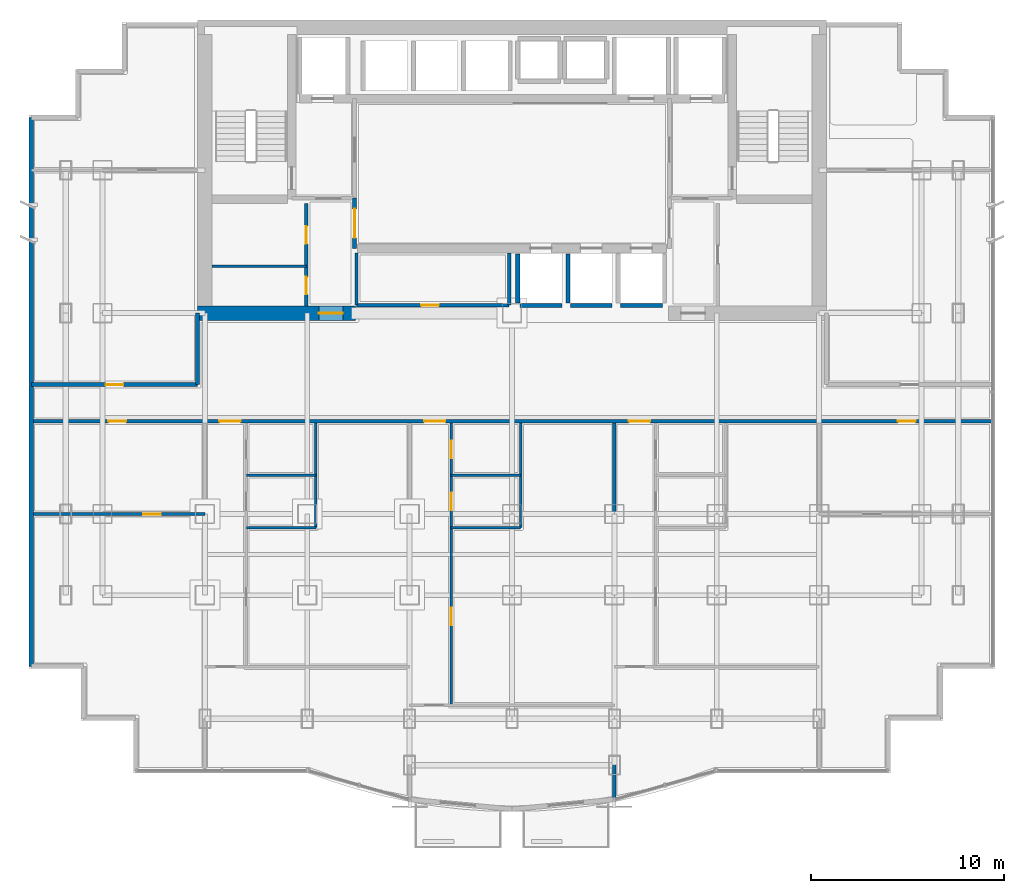
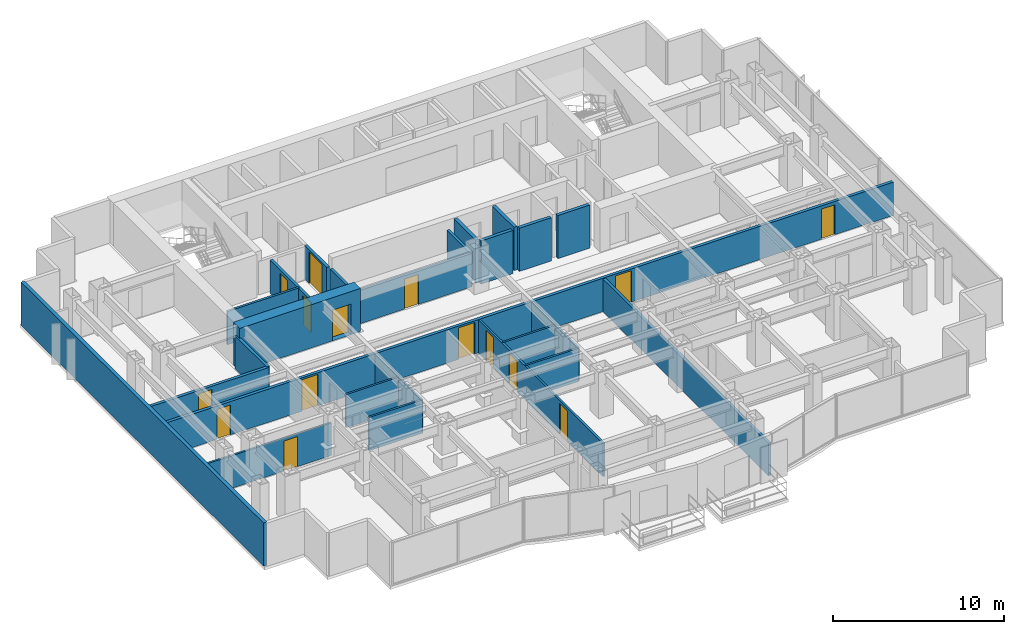
# One storey, part 7 of 11: 25 walls, 15 doors, 15 openings.
"""IFC4 building model written with IfcOpenShell, lengths in metres."""

from ifc_helpers import new_model, si_unit, direction, frame, frame_2d, origin, place, context, subcontext, project, spatial, rectangle, extrude, material, layer, layer_set, type_object, element, fill, save


model = new_model("IFC4")

# Units and contexts
model_context = context("Model", 3, precision=1e-05, world=origin(), true_north=direction((0.0, 1.0)))
body_context = subcontext(model_context, "Body", "Model", "MODEL_VIEW")
ifc_project = project(units=[si_unit("LENGTHUNIT", "METRE"), si_unit("AREAUNIT", "SQUARE_METRE"), si_unit("VOLUMEUNIT", "CUBIC_METRE"), si_unit("PLANEANGLEUNIT", "RADIAN"), si_unit("MASSUNIT", "GRAM", prefix="KILO")], contexts=[model_context])

# Site, building, storey
site_placement = place(None, origin())
site = spatial("IfcSite", under=ifc_project, at=site_placement, CompositionType="ELEMENT")
building_placement = place(site_placement, origin())
building = spatial("IfcBuilding", under=site, at=building_placement, Name="Qianlan Lanfeng Residences", CompositionType="ELEMENT")
storey_placement = place(building_placement, frame((0.0, 0.0, 104.800048828125)))
storey = spatial("IfcBuildingStorey", under=building, at=storey_placement, Name="L28", CompositionType="ELEMENT", Elevation=104.800048828125)

# Wall, opening, door
ifc_material_1 = material(Name="Concrete C60", Category="concrete")
ifc_layer_1 = layer(ifc_material_1, 0.75)
ifc_layer_set_1 = layer_set([ifc_layer_1], Name="Concrete C60")
wall_type_1 = type_object("IfcWallType", Name="CW-RC-750", PredefinedType="SHEAR", material=ifc_layer_set_1)
wall_1_placement = place(storey_placement, frame((10.22509765625, 25.199951171875, 0.0), z_axis=(0.0, 0.0, 1.0), x_axis=(1.0, 0.0, 0.0)))
wall_1 = element("IfcWall", 1, at=wall_1_placement, inside=storey, type_object=wall_type_1, Name="L28 Core Shear Wall SW", PredefinedType="SHEAR", context=body_context, shape_type="SweptSolid", body=[
    extrude(rectangle(XDim=8.1748046875, YDim=0.75, at=frame_2d((4.08740234375, 0.0))), origin(), (0.0, 0.0, 1.0), 3.08984375),
])
opening_1_placement = place(wall_1_placement, frame((6.27490234375, 0.0, 0.0)))
opening_1 = element("IfcOpeningElement", 2, at=opening_1_placement, cuts=wall_1, Name="Opening L28-D01", PredefinedType="OPENING", context=body_context, shape_type="SweptSolid", body=[
    extrude(rectangle(XDim=1.25, YDim=2.199951171875, at=frame_2d((0.625, 1.10009765625))), frame((0.0, 0.385009765625, 0.0), z_axis=(0.0, -1.0, 0.0), x_axis=(1.0, 0.0, 0.0)), (0.0, 0.0, 1.0), 0.77001953125),
])
ifc_material_2 = material(Name="Painted Galvanised Steel Fire Door", Category="steel")
door_type_1 = type_object("IfcDoorType", Name="DT-FFL", OperationType="NOTDEFINED", PredefinedType="DOOR", material=ifc_material_2)
door_1_placement = place(opening_1_placement, frame((1.25, 0.0, 0.0), z_axis=(0.0, 0.0, 1.0), x_axis=(-1.0, 0.0, 0.0)))
door_1 = element("IfcDoor", 3, at=door_1_placement, inside=storey, type_object=door_type_1, Name="L28 West Core Lobby Smoke Door L28-D01 (DT-FFL)", OperationType="SINGLE_SWING_RIGHT", OverallHeight=2.199951171875, OverallWidth=1.25, PredefinedType="DOOR", context=body_context, shape_type="SweptSolid", body=[
    extrude(rectangle(XDim=1.25, YDim=2.199951171875, at=frame_2d((0.625, 1.10009765625))), frame((0.0, 0.02490234375, 0.0), z_axis=(0.0, -1.0, 0.0), x_axis=(1.0, 0.0, 0.0)), (0.0, 0.0, 1.0), 0.050048828125),
])
fill(opening_1, door_1)

# Walls
ifc_material_3 = material(Name="Concrete C42", Category="concrete")
ifc_layer_2 = layer(ifc_material_3, 0.239990234375)
ifc_layer_set_2 = layer_set([ifc_layer_2], Name="Concrete C42")
wall_type_2 = type_object("IfcWallType", Name="EW-240", PredefinedType="SOLIDWALL", material=ifc_layer_set_2)
wall_2_placement = place(storey_placement, frame((1.6201171875, 35.330078125, 0.0), z_axis=(0.0, 0.0, 1.0), x_axis=(0.0, -1.0, 0.0)))
element("IfcWall", 4, at=wall_2_placement, inside=storey, type_object=wall_type_2, Name="L28 Exterior Facade Spandrel Wall 21", PredefinedType="SOLIDWALL", context=body_context, shape_type="SweptSolid", body=[
    extrude(rectangle(XDim=28.41015625, YDim=0.239990234375, at=frame_2d((14.205078125, 0.0))), origin(), (0.0, 0.0, 1.0), 3.08984375),
])
ifc_material_4 = material(Name="Moisture-Resistant Gypsum Partition 135 mm")
ifc_layer_3 = layer(ifc_material_4, 0.135009765625)
ifc_layer_set_3 = layer_set([ifc_layer_3], Name="Moisture-Resistant Gypsum Partition 135 mm")
wall_type_3 = type_object("IfcWallType", Name="PW-135", PredefinedType="PARTITIONING", material=ifc_layer_set_3)
wall_3_placement = place(storey_placement, frame((12.75, 14.10009765625, 0.0), z_axis=(0.0, 0.0, 1.0), x_axis=(1.0, 0.0, 0.0)))
element("IfcWall", 5, at=wall_3_placement, inside=storey, type_object=wall_type_3, Name="L28 U01 Kitchen South Wall", PredefinedType="PARTITIONING", context=body_context, shape_type="SweptSolid", body=[
    extrude(rectangle(XDim=3.60009765625, YDim=0.135009765625, at=frame_2d((1.800048828125, 0.0))), origin(), (0.0, 0.0, 1.0), 2.3798828125),
])
wall_4_placement = place(storey_placement, frame((16.35009765625, 14.10009765625, 0.0), z_axis=(0.0, 0.0, 1.0), x_axis=(0.0, 1.0, 0.0)))
element("IfcWall", 6, at=wall_4_placement, inside=storey, type_object=wall_type_3, Name="L28 U01 Dining East Wall", PredefinedType="PARTITIONING", context=body_context, shape_type="SweptSolid", body=[
    extrude(rectangle(XDim=5.39990234375, YDim=0.135009765625, at=frame_2d((2.699951171875, 0.0))), origin(), (0.0, 0.0, 1.0), 2.3798828125),
])
wall_5_placement = place(storey_placement, frame((12.75, 16.800048828125, 0.0), z_axis=(0.0, 0.0, 1.0), x_axis=(1.0, 0.0, 0.0)))
element("IfcWall", 7, at=wall_5_placement, inside=storey, type_object=wall_type_3, Name="L28 U01 Bathroom South Wall", PredefinedType="PARTITIONING", context=body_context, shape_type="SweptSolid", body=[
    extrude(rectangle(XDim=3.60009765625, YDim=0.135009765625, at=frame_2d((1.800048828125, 0.0))), origin(), (0.0, 0.0, 1.0), 2.3798828125),
])

# Wall, openings, doors
wall_6_placement = place(storey_placement, frame((23.35009765625, 4.903076171875, 0.0), z_axis=(0.0, 0.0, 1.0), x_axis=(0.0, 1.0, 0.0)))
wall_6 = element("IfcWall", 8, at=wall_6_placement, inside=storey, type_object=wall_type_3, Name="L28 U02 Entry Hall Spine", PredefinedType="PARTITIONING", context=body_context, shape_type="SweptSolid", body=[
    extrude(rectangle(XDim=14.596923828125, YDim=0.135009765625, at=frame_2d((7.29833984375, 0.0))), origin(), (0.0, 0.0, 1.0), 2.3798828125),
])
opening_2_placement = place(wall_6_placement, frame((4.137939453125, 0.0, 0.0)))
opening_2 = element("IfcOpeningElement", 9, at=opening_2_placement, cuts=wall_6, Name="Opening L28-D22", PredefinedType="OPENING", context=body_context, shape_type="SweptSolid", body=[
    extrude(rectangle(XDim=0.919921875, YDim=2.14990234375, at=frame_2d((0.4599609375, 1.074951171875))), frame((0.0, 0.07763671875, 0.0), z_axis=(0.0, -1.0, 0.0), x_axis=(1.0, 0.0, 0.0)), (0.0, 0.0, 1.0), 0.155029296875),
])
opening_3_placement = place(wall_6_placement, frame((10.0869140625, 0.0, 0.0)))
opening_3 = element("IfcOpeningElement", 10, at=opening_3_placement, cuts=wall_6, Name="Opening L28-D23", PredefinedType="OPENING", context=body_context, shape_type="SweptSolid", body=[
    extrude(rectangle(XDim=0.919921875, YDim=2.14990234375, at=frame_2d((0.4599609375, 1.074951171875))), frame((0.0, 0.07763671875, 0.0), z_axis=(0.0, -1.0, 0.0), x_axis=(1.0, 0.0, 0.0)), (0.0, 0.0, 1.0), 0.155029296875),
])
opening_4_placement = place(wall_6_placement, frame((12.797119140625, 0.0, 0.0)))
opening_4 = element("IfcOpeningElement", 11, at=opening_4_placement, cuts=wall_6, Name="Opening L28-D24", PredefinedType="OPENING", context=body_context, shape_type="SweptSolid", body=[
    extrude(rectangle(XDim=0.89990234375, YDim=2.14990234375, at=frame_2d((0.449951171875, 1.074951171875))), frame((0.0, 0.07763671875, 0.0), z_axis=(0.0, -1.0, 0.0), x_axis=(1.0, 0.0, 0.0)), (0.0, 0.0, 1.0), 0.155029296875),
])
ifc_material_5 = material(Name="Glazed Timber Kitchen/Study Door", Category="wood")
door_type_2 = type_object("IfcDoorType", Name="DT-INT", OperationType="NOTDEFINED", PredefinedType="DOOR", material=ifc_material_5)
door_2_placement = place(opening_2_placement, origin())
door_2 = element("IfcDoor", 12, at=door_2_placement, inside=storey, type_object=door_type_2, Name="L28 U02 Study Door L28-D22 (DT-INT)", OperationType="SINGLE_SWING_RIGHT", OverallHeight=2.14990234375, OverallWidth=0.919921875, PredefinedType="DOOR", context=body_context, shape_type="SweptSolid", body=[
    extrude(rectangle(XDim=0.919921875, YDim=2.14990234375, at=frame_2d((0.4599609375, 1.074951171875))), frame((0.0, 0.02490234375, 0.0), z_axis=(0.0, -1.0, 0.0), x_axis=(1.0, 0.0, 0.0)), (0.0, 0.0, 1.0), 0.050048828125),
])
fill(opening_2, door_2)
door_3_placement = place(opening_3_placement, origin())
door_3 = element("IfcDoor", 13, at=door_3_placement, inside=storey, type_object=door_type_2, Name="L28 U02 Kitchen Door L28-D23 (DT-INT)", OperationType="SINGLE_SWING_LEFT", OverallHeight=2.14990234375, OverallWidth=0.919921875, PredefinedType="DOOR", context=body_context, shape_type="SweptSolid", body=[
    extrude(rectangle(XDim=0.919921875, YDim=2.14990234375, at=frame_2d((0.4599609375, 1.074951171875))), frame((0.0, 0.02490234375, 0.0), z_axis=(0.0, -1.0, 0.0), x_axis=(1.0, 0.0, 0.0)), (0.0, 0.0, 1.0), 0.050048828125),
])
fill(opening_3, door_3)
ifc_material_6 = material(Name="Moisture-Resistant Timber Leaf", Category="wood")
door_type_3 = type_object("IfcDoorType", Name="DT-WC", OperationType="NOTDEFINED", PredefinedType="DOOR", material=ifc_material_6)
door_4_placement = place(opening_4_placement, origin())
door_4 = element("IfcDoor", 14, at=door_4_placement, inside=storey, type_object=door_type_3, Name="L28 U02 Bathroom Door L28-D24 (DT-WC)", OperationType="SINGLE_SWING_RIGHT", OverallHeight=2.14990234375, OverallWidth=0.89990234375, PredefinedType="DOOR", context=body_context, shape_type="SweptSolid", body=[
    extrude(rectangle(XDim=0.89990234375, YDim=2.14990234375, at=frame_2d((0.449951171875, 1.074951171875))), frame((0.0, 0.02490234375, 0.0), z_axis=(0.0, -1.0, 0.0), x_axis=(1.0, 0.0, 0.0)), (0.0, 0.0, 1.0), 0.050048828125),
])
fill(opening_4, door_4)

# Walls
wall_7_placement = place(storey_placement, frame((23.35009765625, 14.10009765625, 0.0), z_axis=(0.0, 0.0, 1.0), x_axis=(1.0, 0.0, 0.0)))
element("IfcWall", 15, at=wall_7_placement, inside=storey, type_object=wall_type_3, Name="L28 U02 Kitchen South Wall", PredefinedType="PARTITIONING", context=body_context, shape_type="SweptSolid", body=[
    extrude(rectangle(XDim=3.599853515625, YDim=0.135009765625, at=frame_2d((1.7998046875, 0.0))), origin(), (0.0, 0.0, 1.0), 2.3798828125),
])
wall_8_placement = place(storey_placement, frame((26.949951171875, 14.10009765625, 0.0), z_axis=(0.0, 0.0, 1.0), x_axis=(0.0, 1.0, 0.0)))
element("IfcWall", 16, at=wall_8_placement, inside=storey, type_object=wall_type_3, Name="L28 U02 Dining East Wall", PredefinedType="PARTITIONING", context=body_context, shape_type="SweptSolid", body=[
    extrude(rectangle(XDim=5.39990234375, YDim=0.135009765625, at=frame_2d((2.699951171875, 0.0))), origin(), (0.0, 0.0, 1.0), 2.3798828125),
])
wall_9_placement = place(storey_placement, frame((23.35009765625, 16.800048828125, 0.0), z_axis=(0.0, 0.0, 1.0), x_axis=(1.0, 0.0, 0.0)))
element("IfcWall", 17, at=wall_9_placement, inside=storey, type_object=wall_type_3, Name="L28 U02 Bathroom South Wall", PredefinedType="PARTITIONING", context=body_context, shape_type="SweptSolid", body=[
    extrude(rectangle(XDim=3.599853515625, YDim=0.135009765625, at=frame_2d((1.7998046875, 0.0))), origin(), (0.0, 0.0, 1.0), 2.3798828125),
])

# Wall, opening, door
wall_10_placement = place(storey_placement, frame((1.719970703125, 14.800048828125, 0.0), z_axis=(0.0, 0.0, 1.0), x_axis=(1.0, 0.0, 0.0)))
wall_10 = element("IfcWall", 18, at=wall_10_placement, inside=storey, type_object=wall_type_3, Name="L28 SWP Mid Partition", PredefinedType="PARTITIONING", context=body_context, shape_type="SweptSolid", body=[
    extrude(rectangle(XDim=8.880126953125, YDim=0.135009765625, at=frame_2d((4.43994140625, 0.0))), origin(), (0.0, 0.0, 1.0), 2.3349609375),
])
opening_5_placement = place(wall_10_placement, frame((5.679931640625, 0.0, 0.0)))
opening_5 = element("IfcOpeningElement", 19, at=opening_5_placement, cuts=wall_10, Name="Opening L28-D30", PredefinedType="OPENING", context=body_context, shape_type="SweptSolid", body=[
    extrude(rectangle(XDim=0.919921875, YDim=2.14990234375, at=frame_2d((0.4599609375, 1.074951171875))), frame((0.0, 0.07763671875, 0.0), z_axis=(0.0, -1.0, 0.0), x_axis=(1.0, 0.0, 0.0)), (0.0, 0.0, 1.0), 0.155029296875),
])
door_5_placement = place(opening_5_placement, origin())
door_5 = element("IfcDoor", 20, at=door_5_placement, inside=storey, type_object=door_type_2, Name="L28 SWP Inner Door L28-D30 (DT-INT)", OperationType="SINGLE_SWING_RIGHT", OverallHeight=2.14990234375, OverallWidth=0.919921875, PredefinedType="DOOR", context=body_context, shape_type="SweptSolid", body=[
    extrude(rectangle(XDim=0.919921875, YDim=2.14990234375, at=frame_2d((0.4599609375, 1.074951171875))), frame((0.0, 0.02490234375, 0.0), z_axis=(0.0, -1.0, 0.0), x_axis=(1.0, 0.0, 0.0)), (0.0, 0.0, 1.0), 0.050048828125),
])
fill(opening_5, door_5)

# Wall
ifc_material_7 = material(Name="Acoustic Drywall Partition 150 mm")
ifc_layer_4 = layer(ifc_material_7, 0.14990234375)
ifc_layer_set_4 = layer_set([ifc_layer_4], Name="Acoustic Drywall Partition 150 mm")
wall_type_4 = type_object("IfcWallType", Name="PW-150", PredefinedType="PARTITIONING", material=ifc_layer_set_4)
wall_11_placement = place(storey_placement, frame((10.97509765625, 27.625, 0.0), z_axis=(0.0, 0.0, 1.0), x_axis=(1.0, 0.0, 0.0)))
element("IfcWall", 21, at=wall_11_placement, inside=storey, type_object=wall_type_4, Name="L28 Core West Split", PredefinedType="PARTITIONING", context=body_context, shape_type="SweptSolid", body=[
    extrude(rectangle(XDim=4.875, YDim=0.14990234375, at=frame_2d((2.4375, 0.0))), origin(), (0.0, 0.0, 1.0), 2.3798828125),
])

# Wall, openings, doors
ifc_material_8 = material(Name="Double-Layer Acoustic Gypsum Stud Wall 180 mm")
ifc_layer_5 = layer(ifc_material_8, 0.179931640625)
ifc_layer_set_5 = layer_set([ifc_layer_5], Name="Double-Layer Acoustic Gypsum Stud Wall 180 mm")
wall_type_5 = type_object("IfcWallType", Name="PW-180", PredefinedType="PARTITIONING", material=ifc_layer_set_5)
wall_12_placement = place(storey_placement, frame((15.85009765625, 25.574951171875, 0.0), z_axis=(0.0, 0.0, 1.0), x_axis=(0.0, 1.0, 0.0)))
wall_12 = element("IfcWall", 22, at=wall_12_placement, inside=storey, type_object=wall_type_5, Name="L28 Core West Service Room Wall", PredefinedType="PARTITIONING", context=body_context, shape_type="SweptSolid", body=[
    extrude(rectangle(XDim=5.300048828125, YDim=0.179931640625, at=frame_2d((2.64990234375, 0.0))), origin(), (0.0, 0.0, 1.0), 2.3798828125),
])
opening_6_placement = place(wall_12_placement, frame((0.60009765625, 0.0, 0.0)))
opening_6 = element("IfcOpeningElement", 23, at=opening_6_placement, cuts=wall_12, Name="Opening L28-D09", PredefinedType="OPENING", context=body_context, shape_type="SweptSolid", body=[
    extrude(rectangle(XDim=0.89990234375, YDim=2.14990234375, at=frame_2d((0.449951171875, 1.074951171875))), frame((0.0, 0.10009765625, 0.0), z_axis=(0.0, -1.0, 0.0), x_axis=(1.0, 0.0, 0.0)), (0.0, 0.0, 1.0), 0.199951171875),
])
opening_7_placement = place(wall_12_placement, frame((3.215087890625, 0.0, 0.0)))
opening_7 = element("IfcOpeningElement", 24, at=opening_7_placement, cuts=wall_12, Name="Opening L28-D10", PredefinedType="OPENING", context=body_context, shape_type="SweptSolid", body=[
    extrude(rectangle(XDim=0.919921875, YDim=2.14990234375, at=frame_2d((0.4599609375, 1.074951171875))), frame((0.0, 0.10009765625, 0.0), z_axis=(0.0, -1.0, 0.0), x_axis=(1.0, 0.0, 0.0)), (0.0, 0.0, 1.0), 0.199951171875),
])
door_6_placement = place(opening_7_placement, origin())
door_6 = element("IfcDoor", 25, at=door_6_placement, inside=storey, type_object=door_type_2, Name="L28 Janitor Closet Door L28-D10 (DT-INT)", OperationType="SINGLE_SWING_RIGHT", OverallHeight=2.14990234375, OverallWidth=0.919921875, PredefinedType="DOOR", context=body_context, shape_type="SweptSolid", body=[
    extrude(rectangle(XDim=0.919921875, YDim=2.14990234375, at=frame_2d((0.4599609375, 1.074951171875))), frame((0.0, 0.02490234375, 0.0), z_axis=(0.0, -1.0, 0.0), x_axis=(1.0, 0.0, 0.0)), (0.0, 0.0, 1.0), 0.050048828125),
])
fill(opening_7, door_6)
door_7_placement = place(opening_6_placement, frame((0.89990234375, 0.0, 0.0), z_axis=(0.0, 0.0, 1.0), x_axis=(-1.0, 0.0, 0.0)))
door_7 = element("IfcDoor", 26, at=door_7_placement, inside=storey, type_object=door_type_3, Name="L28 Core Staff WC Door L28-D09 (DT-WC)", OperationType="SINGLE_SWING_RIGHT", OverallHeight=2.14990234375, OverallWidth=0.89990234375, PredefinedType="DOOR", context=body_context, shape_type="SweptSolid", body=[
    extrude(rectangle(XDim=0.89990234375, YDim=2.14990234375, at=frame_2d((0.449951171875, 1.074951171875))), frame((0.0, 0.02490234375, 0.0), z_axis=(0.0, -1.0, 0.0), x_axis=(1.0, 0.0, 0.0)), (0.0, 0.0, 1.0), 0.050048828125),
])
fill(opening_6, door_7)

# Walls
for number, where, z_axis, x_axis, name in (
    (27, (18.449951171875, 25.6201171875, 0.0), (0.0, 0.0, 1.0), (0.0, 1.0, 0.0), "L28 Reclaimed Low-Bank Room West Wall"),
    (28, (26.35009765625, 25.6201171875, 0.0), (0.0, 0.0, 1.0), (0.0, 1.0, 0.0), "L28 Reclaimed Low-Bank Room East Wall"),
):
    element("IfcWall", number, at=place(storey_placement, frame(where, z_axis=z_axis, x_axis=x_axis)), inside=storey, type_object=wall_type_5, Name=name, PredefinedType="PARTITIONING", context=body_context, shape_type="SweptSolid", body=[
        extrude(rectangle(XDim=2.704833984375, YDim=0.179931640625, at=frame_2d((1.3525390625, 0.0))), origin(), (0.0, 0.0, 1.0), 2.3798828125),
    ])

# Wall, opening, door
wall_13_placement = place(storey_placement, frame((18.449951171875, 25.6201171875, 0.0), z_axis=(0.0, 0.0, 1.0), x_axis=(1.0, 0.0, 0.0)))
wall_13 = element("IfcWall", 29, at=wall_13_placement, inside=storey, type_object=wall_type_5, Name="L28 Reclaimed Low-Bank Room South Wall", PredefinedType="PARTITIONING", context=body_context, shape_type="SweptSolid", body=[
    extrude(rectangle(XDim=7.900146484375, YDim=0.179931640625, at=frame_2d((3.9501953125, 0.0))), origin(), (0.0, 0.0, 1.0), 2.3798828125),
])
opening_8_placement = place(wall_13_placement, frame((3.340087890625, 0.0, 0.0)))
opening_8 = element("IfcOpeningElement", 30, at=opening_8_placement, cuts=wall_13, Name="Opening L28-D14", PredefinedType="OPENING", context=body_context, shape_type="SweptSolid", body=[
    extrude(rectangle(XDim=0.919921875, YDim=2.14990234375, at=frame_2d((0.4599609375, 1.074951171875))), frame((0.0, 0.10009765625, 0.0), z_axis=(0.0, -1.0, 0.0), x_axis=(1.0, 0.0, 0.0)), (0.0, 0.0, 1.0), 0.199951171875),
])
door_8_placement = place(opening_8_placement, origin())
door_8 = element("IfcDoor", 31, at=door_8_placement, inside=storey, type_object=door_type_2, Name="L28 Reclaimed Core Salon Door L28-D14 (DT-INT)", OperationType="SINGLE_SWING_RIGHT", OverallHeight=2.14990234375, OverallWidth=0.919921875, PredefinedType="DOOR", context=body_context, shape_type="SweptSolid", body=[
    extrude(rectangle(XDim=0.919921875, YDim=2.14990234375, at=frame_2d((0.4599609375, 1.074951171875))), frame((0.0, 0.02490234375, 0.0), z_axis=(0.0, -1.0, 0.0), x_axis=(1.0, 0.0, 0.0)), (0.0, 0.0, 1.0), 0.050048828125),
])
fill(opening_8, door_8)

# Wall
wall_14_placement = place(storey_placement, frame((31.800048828125, 0.126953125, 0.0), z_axis=(0.0, 0.0, 1.0), x_axis=(0.0, 1.0, 0.0)))
element("IfcWall", 32, at=wall_14_placement, inside=storey, type_object=wall_type_5, Name="L28 Inter-Tenancy Party Wall 3", PredefinedType="PARTITIONING", context=body_context, shape_type="SweptSolid", body=[
    extrude(rectangle(XDim=19.373046875, YDim=0.179931640625, at=frame_2d((9.6865234375, 0.0))), origin(), (0.0, 0.0, 1.0), 2.3349609375),
])

# Wall, opening, door
ifc_material_9 = material(Name="Autoclaved Aerated Concrete Blockwork 200 mm", Category="masonry")
ifc_layer_6 = layer(ifc_material_9, 0.199951171875)
ifc_layer_set_6 = layer_set([ifc_layer_6], Name="Autoclaved Aerated Concrete Blockwork 200 mm")
wall_type_6 = type_object("IfcWallType", Name="PW-200", PredefinedType="PARTITIONING", material=ifc_layer_set_6)
wall_15_placement = place(storey_placement, frame((18.35009765625, 28.550048828125, 0.0), z_axis=(0.0, 0.0, 1.0), x_axis=(0.0, 1.0, 0.0)))
wall_15 = element("IfcWall", 33, at=wall_15_placement, inside=storey, type_object=wall_type_6, Name="L28 Lift Lobby West Connector Wall", PredefinedType="PARTITIONING", context=body_context, shape_type="SweptSolid", body=[
    extrude(rectangle(XDim=2.599853515625, YDim=0.199951171875, at=frame_2d((1.2998046875, 0.0))), origin(), (0.0, 0.0, 1.0), 2.3798828125),
])
opening_9_placement = place(wall_15_placement, frame((0.550048828125, 0.0, 0.0)))
opening_9 = element("IfcOpeningElement", 34, at=opening_9_placement, cuts=wall_15, Name="Opening L28-D12", PredefinedType="OPENING", context=body_context, shape_type="SweptSolid", body=[
    extrude(rectangle(XDim=1.5, YDim=2.25, at=frame_2d((0.75, 1.125))), frame((0.0, 0.10986328125, 0.0), z_axis=(0.0, -1.0, 0.0), x_axis=(1.0, 0.0, 0.0)), (0.0, 0.0, 1.0), 0.219970703125),
])
ifc_material_10 = material(Name="Timber Veneer Acoustic Fire Door", Category="wood")
door_type_4 = type_object("IfcDoorType", Name="DT-COR1", OperationType="NOTDEFINED", PredefinedType="DOOR", material=ifc_material_10)
door_9_placement = place(opening_9_placement, origin())
door_9 = element("IfcDoor", 35, at=door_9_placement, inside=storey, type_object=door_type_4, Name="L28 Lift Lobby West Portal Door L28-D12 (DT-COR1)", OperationType="DOUBLE_DOOR_SINGLE_SWING", OverallHeight=2.25, OverallWidth=1.5, PredefinedType="DOOR", context=body_context, shape_type="SweptSolid", body=[
    extrude(rectangle(XDim=1.5, YDim=2.25, at=frame_2d((0.75, 1.125))), frame((0.0, 0.02490234375, 0.0), z_axis=(0.0, -1.0, 0.0), x_axis=(1.0, 0.0, 0.0)), (0.0, 0.0, 1.0), 0.050048828125),
])
fill(opening_9, door_9)

# Wall, openings, doors
wall_16_placement = place(storey_placement, frame((1.6201171875, 19.60009765625, 0.0), z_axis=(0.0, 0.0, 1.0), x_axis=(1.0, 0.0, 0.0)))
wall_16 = element("IfcWall", 36, at=wall_16_placement, inside=storey, type_object=wall_type_6, Name="L28 Residential Corridor South Fire Wall", PredefinedType="PARTITIONING", context=body_context, shape_type="SweptSolid", body=[
    extrude(rectangle(XDim=49.759765625, YDim=0.199951171875, at=frame_2d((24.8798828125, 0.0))), origin(), (0.0, 0.0, 1.0), 2.3798828125),
])
opening_10_placement = place(wall_16_placement, frame((9.72998046875, 0.0, 0.0)))
opening_10 = element("IfcOpeningElement", 37, at=opening_10_placement, cuts=wall_16, Name="Opening L28-D15", PredefinedType="OPENING", context=body_context, shape_type="SweptSolid", body=[
    extrude(rectangle(XDim=1.10009765625, YDim=2.25, at=frame_2d((0.550048828125, 1.125))), frame((0.0, 0.10986328125, 0.0), z_axis=(0.0, -1.0, 0.0), x_axis=(1.0, 0.0, 0.0)), (0.0, 0.0, 1.0), 0.219970703125),
])
opening_11_placement = place(wall_16_placement, frame((20.330078125, 0.0, 0.0)))
opening_11 = element("IfcOpeningElement", 38, at=opening_11_placement, cuts=wall_16, Name="Opening L28-D20", PredefinedType="OPENING", context=body_context, shape_type="SweptSolid", body=[
    extrude(rectangle(XDim=1.10009765625, YDim=2.25, at=frame_2d((0.550048828125, 1.125))), frame((0.0, 0.10986328125, 0.0), z_axis=(0.0, -1.0, 0.0), x_axis=(1.0, 0.0, 0.0)), (0.0, 0.0, 1.0), 0.219970703125),
])
opening_12_placement = place(wall_16_placement, frame((30.929931640625, 0.0, 0.0)))
opening_12 = element("IfcOpeningElement", 39, at=opening_12_placement, cuts=wall_16, Name="Opening L28-D25", PredefinedType="OPENING", context=body_context, shape_type="SweptSolid", body=[
    extrude(rectangle(XDim=1.10009765625, YDim=2.25, at=frame_2d((0.550048828125, 1.125))), frame((0.0, 0.10986328125, 0.0), z_axis=(0.0, -1.0, 0.0), x_axis=(1.0, 0.0, 0.0)), (0.0, 0.0, 1.0), 0.219970703125),
])
opening_13_placement = place(wall_16_placement, frame((3.985107421875, 0.0, 0.0)))
opening_13 = element("IfcOpeningElement", 40, at=opening_13_placement, cuts=wall_16, Name="Opening L28-D31", PredefinedType="OPENING", context=body_context, shape_type="SweptSolid", body=[
    extrude(rectangle(XDim=0.919921875, YDim=2.14990234375, at=frame_2d((0.4599609375, 1.074951171875))), frame((0.0, 0.10986328125, 0.0), z_axis=(0.0, -1.0, 0.0), x_axis=(1.0, 0.0, 0.0)), (0.0, 0.0, 1.0), 0.219970703125),
])
opening_14_placement = place(wall_16_placement, frame((44.85498046875, 0.0, 0.0)))
opening_14 = element("IfcOpeningElement", 41, at=opening_14_placement, cuts=wall_16, Name="Opening L28-D33", PredefinedType="OPENING", context=body_context, shape_type="SweptSolid", body=[
    extrude(rectangle(XDim=0.919921875, YDim=2.14990234375, at=frame_2d((0.4599609375, 1.074951171875))), frame((0.0, 0.10986328125, 0.0), z_axis=(0.0, -1.0, 0.0), x_axis=(1.0, 0.0, 0.0)), (0.0, 0.0, 1.0), 0.219970703125),
])
door_10_placement = place(opening_13_placement, origin())
door_10 = element("IfcDoor", 42, at=door_10_placement, inside=storey, type_object=door_type_2, Name="L28 SWP Corridor Door L28-D31 (DT-INT)", OperationType="SINGLE_SWING_LEFT", OverallHeight=2.14990234375, OverallWidth=0.919921875, PredefinedType="DOOR", context=body_context, shape_type="SweptSolid", body=[
    extrude(rectangle(XDim=0.919921875, YDim=2.14990234375, at=frame_2d((0.4599609375, 1.074951171875))), frame((0.0, 0.02490234375, 0.0), z_axis=(0.0, -1.0, 0.0), x_axis=(1.0, 0.0, 0.0)), (0.0, 0.0, 1.0), 0.050048828125),
])
fill(opening_13, door_10)
door_11_placement = place(opening_14_placement, origin())
door_11 = element("IfcDoor", 43, at=door_11_placement, inside=storey, type_object=door_type_2, Name="L28 SEP Corridor Door L28-D33 (DT-INT)", OperationType="SINGLE_SWING_LEFT", OverallHeight=2.14990234375, OverallWidth=0.919921875, PredefinedType="DOOR", context=body_context, shape_type="SweptSolid", body=[
    extrude(rectangle(XDim=0.919921875, YDim=2.14990234375, at=frame_2d((0.4599609375, 1.074951171875))), frame((0.0, 0.02490234375, 0.0), z_axis=(0.0, -1.0, 0.0), x_axis=(1.0, 0.0, 0.0)), (0.0, 0.0, 1.0), 0.050048828125),
])
fill(opening_14, door_11)
ifc_material_11 = material(Name="Solid-Core Oak Veneer Fire Door")
door_type_5 = type_object("IfcDoorType", Name="DT-UNIT", OperationType="NOTDEFINED", PredefinedType="DOOR", material=ifc_material_11)
door_12_placement = place(opening_10_placement, origin())
door_12 = element("IfcDoor", 44, at=door_12_placement, inside=storey, type_object=door_type_5, Name="L28 Apartment U01 Entrance Door L28-D15 (DT-UNIT)", OperationType="SINGLE_SWING_RIGHT", OverallHeight=2.25, OverallWidth=1.10009765625, PredefinedType="DOOR", context=body_context, shape_type="SweptSolid", body=[
    extrude(rectangle(XDim=1.10009765625, YDim=2.25, at=frame_2d((0.550048828125, 1.125))), frame((0.0, 0.02490234375, 0.0), z_axis=(0.0, -1.0, 0.0), x_axis=(1.0, 0.0, 0.0)), (0.0, 0.0, 1.0), 0.050048828125),
])
fill(opening_10, door_12)
door_13_placement = place(opening_11_placement, origin())
door_13 = element("IfcDoor", 45, at=door_13_placement, inside=storey, type_object=door_type_5, Name="L28 Apartment U02 Entrance Door L28-D20 (DT-UNIT)", OperationType="SINGLE_SWING_RIGHT", OverallHeight=2.25, OverallWidth=1.10009765625, PredefinedType="DOOR", context=body_context, shape_type="SweptSolid", body=[
    extrude(rectangle(XDim=1.10009765625, YDim=2.25, at=frame_2d((0.550048828125, 1.125))), frame((0.0, 0.02490234375, 0.0), z_axis=(0.0, -1.0, 0.0), x_axis=(1.0, 0.0, 0.0)), (0.0, 0.0, 1.0), 0.050048828125),
])
fill(opening_11, door_13)
door_14_placement = place(opening_12_placement, origin())
door_14 = element("IfcDoor", 46, at=door_14_placement, inside=storey, type_object=door_type_5, Name="L28 Apartment U03 Entrance Door L28-D25 (DT-UNIT)", OperationType="SINGLE_SWING_RIGHT", OverallHeight=2.25, OverallWidth=1.10009765625, PredefinedType="DOOR", context=body_context, shape_type="SweptSolid", body=[
    extrude(rectangle(XDim=1.10009765625, YDim=2.25, at=frame_2d((0.550048828125, 1.125))), frame((0.0, 0.02490234375, 0.0), z_axis=(0.0, -1.0, 0.0), x_axis=(1.0, 0.0, 0.0)), (0.0, 0.0, 1.0), 0.050048828125),
])
fill(opening_12, door_14)

# Wall, opening, door
wall_17_placement = place(storey_placement, frame((1.6201171875, 21.5, 0.0), z_axis=(0.0, 0.0, 1.0), x_axis=(1.0, 0.0, 0.0)))
wall_17 = element("IfcWall", 47, at=wall_17_placement, inside=storey, type_object=wall_type_6, Name="L28 Corridor NW Wall", PredefinedType="PARTITIONING", context=body_context, shape_type="SweptSolid", body=[
    extrude(rectangle(XDim=8.60498046875, YDim=0.199951171875, at=frame_2d((4.302490234375, 0.0))), origin(), (0.0, 0.0, 1.0), 2.3798828125),
])
opening_15_placement = place(wall_17_placement, frame((3.842041015625, 0.0, 0.0)))
opening_15 = element("IfcOpeningElement", 48, at=opening_15_placement, cuts=wall_17, Name="Opening L28-D35", PredefinedType="OPENING", context=body_context, shape_type="SweptSolid", body=[
    extrude(rectangle(XDim=0.919921875, YDim=2.14990234375, at=frame_2d((0.4599609375, 1.074951171875))), frame((0.0, 0.10986328125, 0.0), z_axis=(0.0, -1.0, 0.0), x_axis=(1.0, 0.0, 0.0)), (0.0, 0.0, 1.0), 0.219970703125),
])
door_15_placement = place(opening_15_placement, origin())
door_15 = element("IfcDoor", 49, at=door_15_placement, inside=storey, type_object=door_type_2, Name="L28 WW Amenity Salon Door L28-D35 (DT-INT)", OperationType="SINGLE_SWING_LEFT", OverallHeight=2.14990234375, OverallWidth=0.919921875, PredefinedType="DOOR", context=body_context, shape_type="SweptSolid", body=[
    extrude(rectangle(XDim=0.919921875, YDim=2.14990234375, at=frame_2d((0.4599609375, 1.074951171875))), frame((0.0, 0.02490234375, 0.0), z_axis=(0.0, -1.0, 0.0), x_axis=(1.0, 0.0, 0.0)), (0.0, 0.0, 1.0), 0.050048828125),
])
fill(opening_15, door_15)

# Walls
wall_18_placement = place(storey_placement, frame((10.22509765625, 21.5, 0.0), z_axis=(0.0, 0.0, 1.0), x_axis=(0.0, 1.0, 0.0)))
element("IfcWall", 50, at=wall_18_placement, inside=storey, type_object=wall_type_6, Name="L28 NW Wing Core Return Wall", PredefinedType="PARTITIONING", context=body_context, shape_type="SweptSolid", body=[
    extrude(rectangle(XDim=3.699951171875, YDim=0.199951171875, at=frame_2d((1.85009765625, 0.0))), origin(), (0.0, 0.0, 1.0), 2.3798828125),
])
ifc_material_12 = material(Name="Concrete C49", Category="concrete")
ifc_layer_7 = layer(ifc_material_12, 0.219970703125)
ifc_layer_set_7 = layer_set([ifc_layer_7], Name="Concrete C49")
wall_type_7 = type_object("IfcWallType", Name="SHW-220", PredefinedType="SOLIDWALL", material=ifc_layer_set_7)
wall_19_placement = place(storey_placement, frame((26.800048828125, 25.719970703125, 0.0), z_axis=(0.0, 0.0, 1.0), x_axis=(0.0, 1.0, 0.0)))
element("IfcWall", 51, at=wall_19_placement, inside=storey, type_object=wall_type_7, Name="L28 Lift PL-M1 Shaft Wall W", PredefinedType="SOLIDWALL", context=body_context, shape_type="SweptSolid", body=[
    extrude(rectangle(XDim=2.530029296875, YDim=0.219970703125, at=frame_2d((1.26513671875, 0.0))), origin(), (0.0, 0.0, 1.0), 3.08984375),
])
wall_20_placement = place(storey_placement, frame((26.919921875, 25.60009765625, 0.0), z_axis=(0.0, 0.0, 1.0), x_axis=(1.0, 0.0, 0.0)))
element("IfcWall", 52, at=wall_20_placement, inside=storey, type_object=wall_type_7, Name="L28 Lift PL-M1 Shaft Back Wall S", PredefinedType="SOLIDWALL", context=body_context, shape_type="SweptSolid", body=[
    extrude(rectangle(XDim=2.16015625, YDim=0.219970703125, at=frame_2d((1.080078125, 0.0))), origin(), (0.0, 0.0, 1.0), 3.08984375),
])
wall_21_placement = place(storey_placement, frame((29.39990234375, 25.719970703125, 0.0), z_axis=(0.0, 0.0, 1.0), x_axis=(0.0, 1.0, 0.0)))
element("IfcWall", 53, at=wall_21_placement, inside=storey, type_object=wall_type_7, Name="L28 Lift PL-M2 Shaft Wall W", PredefinedType="SOLIDWALL", context=body_context, shape_type="SweptSolid", body=[
    extrude(rectangle(XDim=2.530029296875, YDim=0.219970703125, at=frame_2d((1.26513671875, 0.0))), origin(), (0.0, 0.0, 1.0), 3.08984375),
])
for number, where, z_axis, x_axis, name in (
    (54, (29.52001953125, 25.60009765625, 0.0), (0.0, 0.0, 1.0), (1.0, 0.0, 0.0), "L28 Lift PL-M2 Shaft Back Wall S"),
    (55, (32.1201171875, 25.60009765625, 0.0), (0.0, 0.0, 1.0), (1.0, 0.0, 0.0), "L28 Lift PL-M3 Shaft Back Wall S"),
):
    element("IfcWall", number, at=place(storey_placement, frame(where, z_axis=z_axis, x_axis=x_axis)), inside=storey, type_object=wall_type_7, Name=name, PredefinedType="SOLIDWALL", context=body_context, shape_type="SweptSolid", body=[
        extrude(rectangle(XDim=2.159912109375, YDim=0.219970703125, at=frame_2d((1.080078125, 0.0))), origin(), (0.0, 0.0, 1.0), 3.08984375),
    ])

save(model, "model.ifc")
